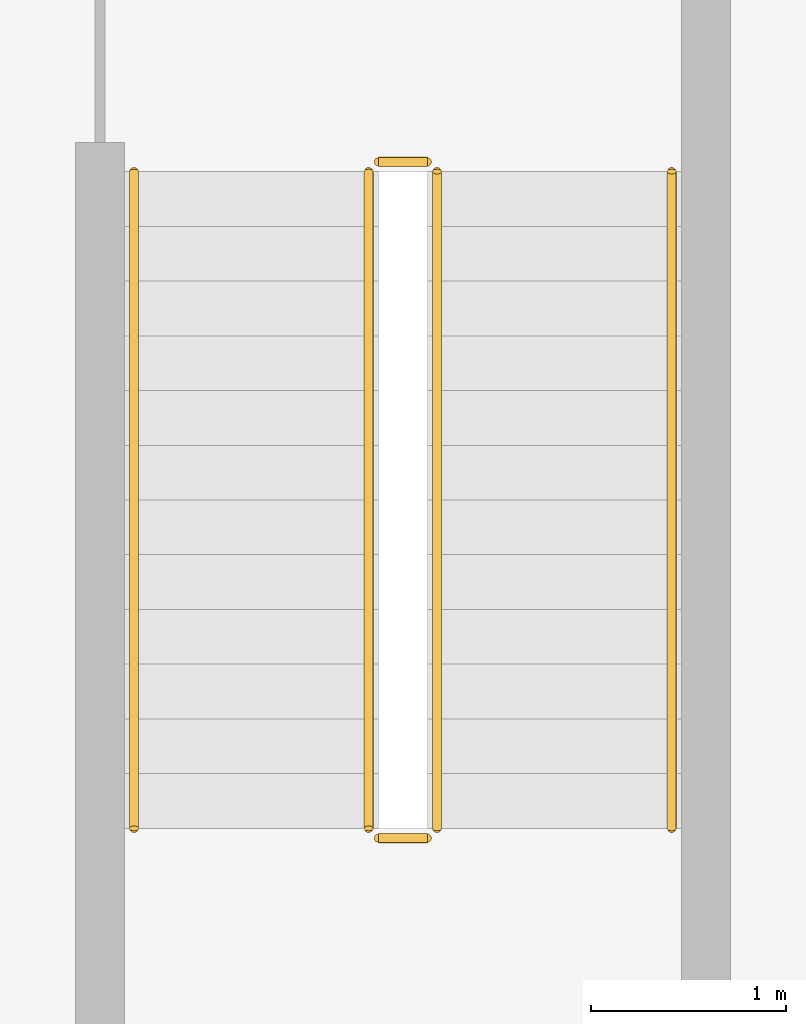
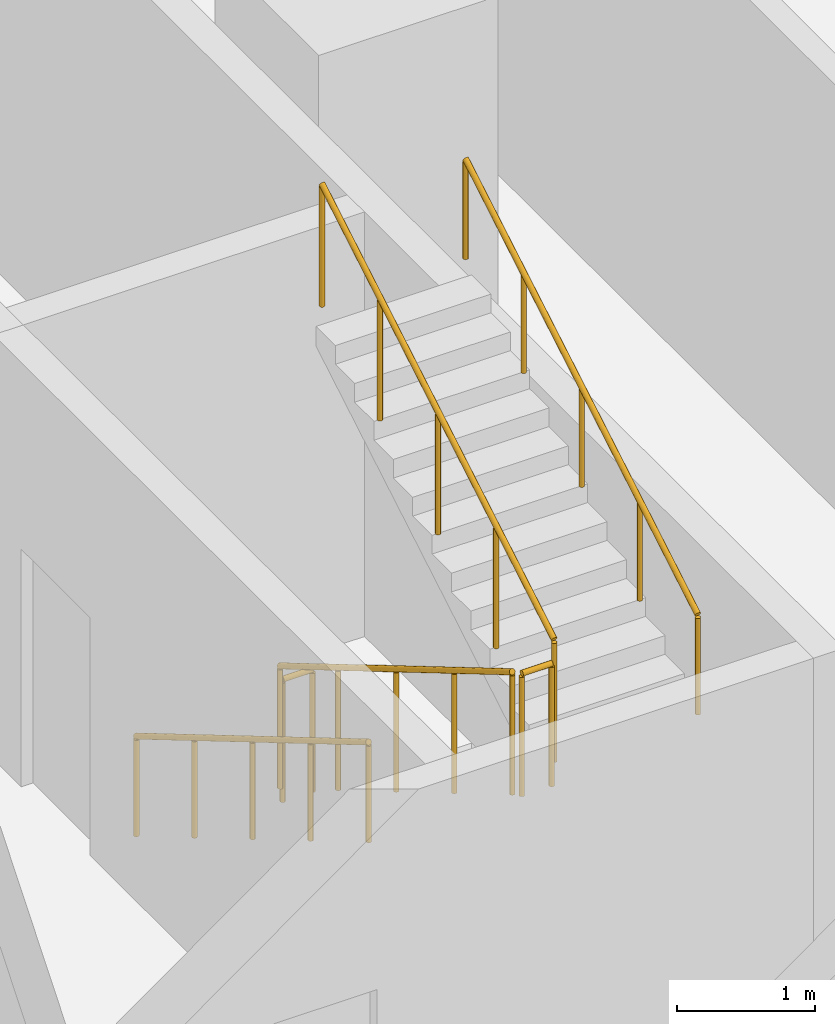
# One storey, part 25 of 29: 6 railings.
"""IFC4 building model written with IfcOpenShell, lengths in metres."""

from ifc_helpers import new_model, si_unit, direction, frame, origin, origin_2d, place, context, subcontext, project, spatial, circle, extrude, material, type_object, element, save


model = new_model("IFC4")

# Units and contexts
model_context = context("Model", 3, precision=1e-05, world=origin(), true_north=direction((0.0, 1.0)))
body_context = subcontext(model_context, "Body", "Model", "MODEL_VIEW")
ifc_project = project(units=[si_unit("LENGTHUNIT", "METRE"), si_unit("AREAUNIT", "SQUARE_METRE"), si_unit("VOLUMEUNIT", "CUBIC_METRE"), si_unit("PLANEANGLEUNIT", "RADIAN"), si_unit("MASSUNIT", "GRAM", prefix="KILO")], contexts=[model_context])

# Site, building, storey
site_placement = place(None, origin())
site = spatial("IfcSite", under=ifc_project, at=site_placement, CompositionType="ELEMENT")
building_placement = place(site_placement, origin())
building = spatial("IfcBuilding", under=site, at=building_placement, Name="Mahtab Terrace Research Tower", CompositionType="ELEMENT")
storey_placement = place(building_placement, frame((0.0, 0.0, 76.10009765625)))
storey = spatial("IfcBuildingStorey", under=building, at=storey_placement, Name="L17", CompositionType="ELEMENT", Elevation=76.10009765625)

# Railings
ifc_material = material(Name="Stainless steel AISI 304", Category="steel")
railing_type_1 = type_object("IfcRailingType", Name="Stair guard 1100", PredefinedType="GUARDRAIL", material=ifc_material)
railing_1_placement = place(storey_placement, frame((2.949951171875, -4.175048828125, 0.165283203125)))
element("IfcRailing", 1, at=railing_1_placement, inside=storey, type_object=railing_type_1, Name="L17 ST2 stair guard 1", PredefinedType="GUARDRAIL", context=body_context, shape_type="SweptSolid", body=[
    extrude(circle(Radius=0.02392578125, at=origin_2d()), frame((0.0, 0.0, 1.076171875), z_axis=(0.0, -0.861011212953, 0.508585972249), x_axis=(1.0, 0.0, 0.0)), (0.0, 0.0, 1.0), 3.90234375),
    extrude(circle(Radius=0.02099609375, at=origin_2d()), origin(), (0.0, 0.0, 1.0), 1.052001953125),
    extrude(circle(Radius=0.02099609375, at=origin_2d()), frame((0.0, -0.83984375, 0.49609375)), (0.0, 0.0, 1.0), 1.052001953125),
    extrude(circle(Radius=0.02099609375, at=origin_2d()), frame((0.0, -1.679931640625, 0.9921875)), (0.0, 0.0, 1.0), 1.052001953125),
    extrude(circle(Radius=0.02099609375, at=origin_2d()), frame((0.0, -2.52001953125, 1.488525390625)), (0.0, 0.0, 1.0), 1.052001953125),
    extrude(circle(Radius=0.02099609375, at=origin_2d()), frame((0.0, -3.35986328125, 1.984619140625)), (0.0, 0.0, 1.0), 1.052001953125),
])
railing_2_placement = place(storey_placement, frame((3.0, -7.5849609375, 2.14990234375)))
element("IfcRailing", 2, at=railing_2_placement, inside=storey, type_object=railing_type_1, Name="L17 ST2 stair guard 2", PredefinedType="GUARDRAIL", context=body_context, shape_type="SweptSolid", body=[
    extrude(circle(Radius=0.02392578125, at=origin_2d()), frame((0.0, 0.0, 1.076171875), z_axis=(1.0, 0.0, 0.0), x_axis=(0.0, 1.0, 0.0)), (0.0, 0.0, 1.0), 0.25),
    extrude(circle(Radius=0.02099609375, at=origin_2d()), origin(), (0.0, 0.0, 1.0), 1.052001953125),
    extrude(circle(Radius=0.02099609375, at=origin_2d()), frame((0.25, 0.0, 0.0)), (0.0, 0.0, 1.0), 1.052001953125),
])
railing_3_placement = place(storey_placement, frame((3.300048828125, -7.534912109375, 2.315185546875)))
element("IfcRailing", 3, at=railing_3_placement, inside=storey, type_object=railing_type_1, Name="L17 ST2 stair guard 3", PredefinedType="GUARDRAIL", context=body_context, shape_type="SweptSolid", body=[
    extrude(circle(Radius=0.02392578125, at=origin_2d()), frame((0.0, 0.0, 1.076171875), z_axis=(0.0, 0.861011212953, 0.508585972249), x_axis=(-1.0, 0.0, 0.0)), (0.0, 0.0, 1.0), 3.90234375),
    extrude(circle(Radius=0.02099609375, at=origin_2d()), origin(), (0.0, 0.0, 1.0), 1.052001953125),
    extrude(circle(Radius=0.02099609375, at=origin_2d()), frame((0.0, 0.83984375, 0.49609375)), (0.0, 0.0, 1.0), 1.052001953125),
    extrude(circle(Radius=0.02099609375, at=origin_2d()), frame((0.0, 1.679931640625, 0.9921875)), (0.0, 0.0, 1.0), 1.052001953125),
    extrude(circle(Radius=0.02099609375, at=origin_2d()), frame((0.0, 2.52001953125, 1.488525390625)), (0.0, 0.0, 1.0), 1.052001953125),
    extrude(circle(Radius=0.02099609375, at=origin_2d()), frame((0.0, 3.35986328125, 1.984619140625)), (0.0, 0.0, 1.0), 1.052001953125),
])
railing_4_placement = place(storey_placement, frame((3.0, -4.125, 0.0)))
element("IfcRailing", 4, at=railing_4_placement, inside=storey, type_object=railing_type_1, Name="L17 ST2 stair guard 4", PredefinedType="GUARDRAIL", context=body_context, shape_type="SweptSolid", body=[
    extrude(circle(Radius=0.02392578125, at=origin_2d()), frame((0.0, 0.0, 1.076171875), z_axis=(1.0, 0.0, 0.0), x_axis=(0.0, 1.0, 0.0)), (0.0, 0.0, 1.0), 0.25),
    extrude(circle(Radius=0.02099609375, at=origin_2d()), origin(), (0.0, 0.0, 1.0), 1.052001953125),
    extrude(circle(Radius=0.02099609375, at=origin_2d()), frame((0.25, 0.0, 0.0)), (0.0, 0.0, 1.0), 1.052001953125),
])
railing_type_2 = type_object("IfcRailingType", Name="Stair handrail 900", PredefinedType="HANDRAIL", material=ifc_material)
railing_5_placement = place(storey_placement, frame((1.75, -4.175048828125, 0.165283203125)))
element("IfcRailing", 5, at=railing_5_placement, inside=storey, type_object=railing_type_2, Name="L17 ST2 stair handrail 1", PredefinedType="HANDRAIL", context=body_context, shape_type="SweptSolid", body=[
    extrude(circle(Radius=0.02392578125, at=origin_2d()), frame((0.0, 0.0, 0.8759765625), z_axis=(0.0, -0.861011212953, 0.508585972249), x_axis=(1.0, 0.0, 0.0)), (0.0, 0.0, 1.0), 3.90234375),
    extrude(circle(Radius=0.02099609375, at=origin_2d()), origin(), (0.0, 0.0, 1.0), 0.851806640625),
    extrude(circle(Radius=0.02099609375, at=origin_2d()), frame((0.0, -0.83984375, 0.49609375)), (0.0, 0.0, 1.0), 0.851806640625),
    extrude(circle(Radius=0.02099609375, at=origin_2d()), frame((0.0, -1.679931640625, 0.9921875)), (0.0, 0.0, 1.0), 0.851806640625),
    extrude(circle(Radius=0.02099609375, at=origin_2d()), frame((0.0, -2.52001953125, 1.488525390625)), (0.0, 0.0, 1.0), 0.851806640625),
    extrude(circle(Radius=0.02099609375, at=origin_2d()), frame((0.0, -3.35986328125, 1.984619140625)), (0.0, 0.0, 1.0), 0.851806640625),
])
railing_6_placement = place(storey_placement, frame((4.5, -7.534912109375, 2.315185546875)))
element("IfcRailing", 6, at=railing_6_placement, inside=storey, type_object=railing_type_2, Name="L17 ST2 stair handrail 2", PredefinedType="HANDRAIL", context=body_context, shape_type="SweptSolid", body=[
    extrude(circle(Radius=0.02392578125, at=origin_2d()), frame((0.0, 0.0, 0.8759765625), z_axis=(0.0, 0.861011212953, 0.508585972249), x_axis=(-1.0, 0.0, 0.0)), (0.0, 0.0, 1.0), 3.90234375),
    extrude(circle(Radius=0.02099609375, at=origin_2d()), origin(), (0.0, 0.0, 1.0), 0.851806640625),
    extrude(circle(Radius=0.02099609375, at=origin_2d()), frame((0.0, 0.83984375, 0.49609375)), (0.0, 0.0, 1.0), 0.851806640625),
    extrude(circle(Radius=0.02099609375, at=origin_2d()), frame((0.0, 1.679931640625, 0.9921875)), (0.0, 0.0, 1.0), 0.851806640625),
    extrude(circle(Radius=0.02099609375, at=origin_2d()), frame((0.0, 2.52001953125, 1.488525390625)), (0.0, 0.0, 1.0), 0.851806640625),
    extrude(circle(Radius=0.02099609375, at=origin_2d()), frame((0.0, 3.35986328125, 1.984619140625)), (0.0, 0.0, 1.0), 0.851806640625),
])

save(model, "model.ifc")
